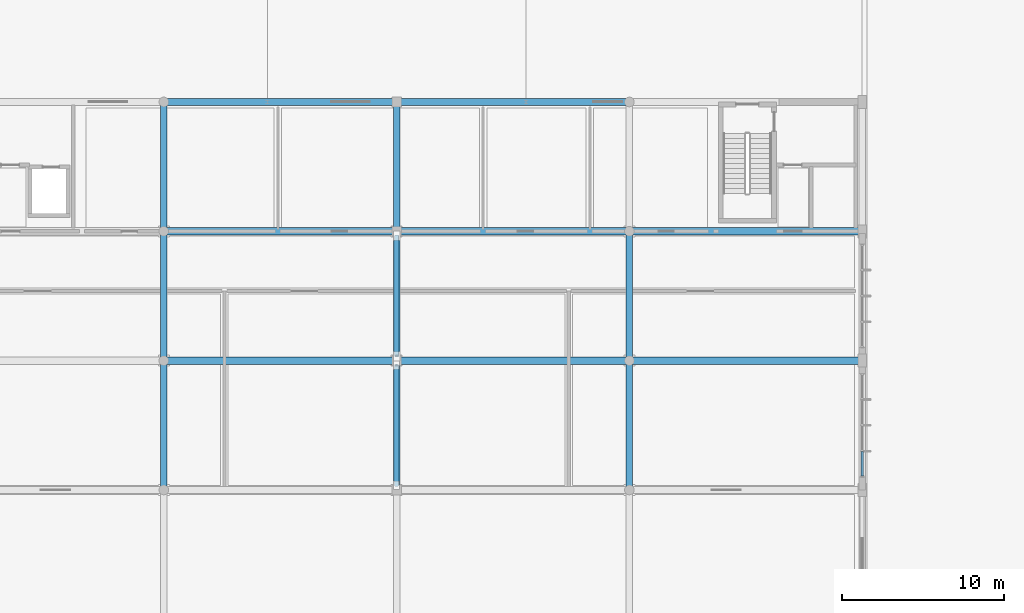
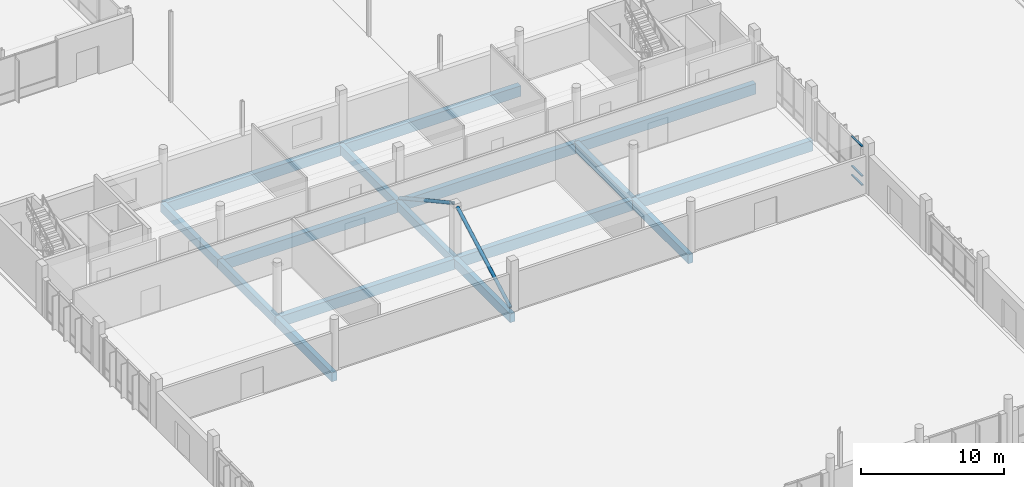
# One storey, part 121 of 233: 16 beams, 5 members, 1 element without a shape of its own.
"""IFC4 building model written with IfcOpenShell, lengths in metres."""

from ifc_helpers import new_model, si_unit, direction, frame, origin, origin_2d, place, context, subcontext, project, spatial, rectangle, hollow_rectangle, hollow_circle, extrude, material, material_profile, profile_set, type_object, element, aggregate, save


model = new_model("IFC4")

# Units and contexts
model_context = context("Model", 3, precision=1e-05, world=origin(), true_north=direction((0.0, 1.0)))
body_context = subcontext(model_context, "Body", "Model", "MODEL_VIEW")
ifc_project = project(units=[si_unit("LENGTHUNIT", "METRE"), si_unit("AREAUNIT", "SQUARE_METRE"), si_unit("VOLUMEUNIT", "CUBIC_METRE"), si_unit("PLANEANGLEUNIT", "RADIAN"), si_unit("MASSUNIT", "GRAM", prefix="KILO")], contexts=[model_context])

# Site, building, storey
site_placement = place(None, origin())
site = spatial("IfcSite", under=ifc_project, at=site_placement, CompositionType="ELEMENT")
building_placement = place(site_placement, origin())
building = spatial("IfcBuilding", under=site, at=building_placement, Name="Zavelmont Quarter", CompositionType="ELEMENT")
storey_placement = place(building_placement, origin())
storey = spatial("IfcBuildingStorey", under=building, at=storey_placement, Name="L00", CompositionType="ELEMENT", Elevation=0.0)

# Beams
ifc_material_1 = material(Name="Concrete C40/50", Category="concrete")
ifc_material_profile_1 = material_profile(ifc_material_1, rectangle(XDim=0.39990234375, YDim=0.75, at=origin_2d()), Name="RC400X750")
ifc_profile_set_1 = profile_set([ifc_material_profile_1], Name="Concrete C40/50")
beam_type_1 = type_object("IfcBeamType", Name="BM05", PredefinedType="BEAM", material=ifc_profile_set_1)
for number, where, z_axis, x_axis, name in (
    (1, (69.60009765625, 62.0, -0.695068359375), (0.0, 1.0, 0.0), (-1.0, 0.0, 0.0), "L00 beam BM05 11/K to 11/L"),
    (2, (69.60009765625, 70.0, -0.695068359375), (0.0, 1.0, 0.0), (-1.0, 0.0, 0.0), "L00 beam BM05 11/L to 11/M"),
    (3, (69.60009765625, 78.0, -0.695068359375), (0.0, 1.0, 0.0), (-1.0, 0.0, 0.0), "L00 beam BM05 11/M to 11/N"),
    (4, (84.0, 62.0, -0.695068359375), (0.0, 1.0, 0.0), (-1.0, 0.0, 0.0), "L00 beam BM05 13/K to 13/L"),
    (5, (84.0, 70.0, -0.695068359375), (0.0, 1.0, 0.0), (-1.0, 0.0, 0.0), "L00 beam BM05 13/L to 13/M"),
    (6, (84.0, 78.0, -0.695068359375), (0.0, 1.0, 0.0), (-1.0, 0.0, 0.0), "L00 beam BM05 13/M to 13/N"),
    (7, (98.39990234375, 62.0, -0.695068359375), (0.0, 1.0, 0.0), (-1.0, 0.0, 0.0), "L00 beam BM05 15/K to 15/L"),
    (8, (98.39990234375, 70.0, -0.695068359375), (0.0, 1.0, 0.0), (-1.0, 0.0, 0.0), "L00 beam BM05 15/L to 15/M"),
):
    element("IfcBeam", number, at=place(storey_placement, frame(where, z_axis=z_axis, x_axis=x_axis)), inside=storey, type_object=beam_type_1, Name=name, PredefinedType="BEAM", context=body_context, shape_type="SweptSolid", body=[
        extrude(rectangle(XDim=0.39990234375, YDim=0.75, at=origin_2d()), origin(), (0.0, 0.0, 1.0), 8.0),
    ])
ifc_material_profile_2 = material_profile(ifc_material_1, rectangle(XDim=0.449951171875, YDim=0.89990234375, at=origin_2d()), Name="RC450X900")
ifc_profile_set_2 = profile_set([ifc_material_profile_2], Name="Concrete C40/50")
beam_type_2 = type_object("IfcBeamType", Name="BM06", PredefinedType="BEAM", material=ifc_profile_set_2)
for number, where, z_axis, x_axis, name in (
    (9, (69.60009765625, 70.0, -0.77001953125), (1.0, 0.0, 0.0), (0.0, 1.0, 0.0), "L00 beam BM06 11/L to 13/L"),
    (10, (84.0, 70.0, -0.77001953125), (1.0, 0.0, 0.0), (0.0, 1.0, 0.0), "L00 beam BM06 13/L to 15/L"),
):
    element("IfcBeam", number, at=place(storey_placement, frame(where, z_axis=z_axis, x_axis=x_axis)), inside=storey, type_object=beam_type_2, Name=name, PredefinedType="BEAM", context=body_context, shape_type="SweptSolid", body=[
        extrude(rectangle(XDim=0.449951171875, YDim=0.89990234375, at=origin_2d()), origin(), (0.0, 0.0, 1.0), 14.39990234375),
    ])
beam_1_placement = place(storey_placement, frame((98.39990234375, 70.0, -0.77001953125), z_axis=(1.0, 0.0, 0.0), x_axis=(0.0, 1.0, 0.0)))
element("IfcBeam", 11, at=beam_1_placement, inside=storey, type_object=beam_type_2, Name="L00 beam BM06 15/L to 17/L", PredefinedType="BEAM", context=body_context, shape_type="SweptSolid", body=[
    extrude(rectangle(XDim=0.449951171875, YDim=0.89990234375, at=origin_2d()), origin(), (0.0, 0.0, 1.0), 14.400146484375),
])
for number, where, z_axis, x_axis, name in (
    (12, (69.60009765625, 78.0, -0.77001953125), (1.0, 0.0, 0.0), (0.0, 1.0, 0.0), "L00 beam BM06 11/M to 13/M"),
    (13, (84.0, 78.0, -0.77001953125), (1.0, 0.0, 0.0), (0.0, 1.0, 0.0), "L00 beam BM06 13/M to 15/M"),
):
    element("IfcBeam", number, at=place(storey_placement, frame(where, z_axis=z_axis, x_axis=x_axis)), inside=storey, type_object=beam_type_2, Name=name, PredefinedType="BEAM", context=body_context, shape_type="SweptSolid", body=[
        extrude(rectangle(XDim=0.449951171875, YDim=0.89990234375, at=origin_2d()), origin(), (0.0, 0.0, 1.0), 14.39990234375),
    ])
beam_2_placement = place(storey_placement, frame((98.39990234375, 78.0, -0.77001953125), z_axis=(1.0, 0.0, 0.0), x_axis=(0.0, 1.0, 0.0)))
element("IfcBeam", 14, at=beam_2_placement, inside=storey, type_object=beam_type_2, Name="L00 beam BM06 15/M to 17/M", PredefinedType="BEAM", context=body_context, shape_type="SweptSolid", body=[
    extrude(rectangle(XDim=0.449951171875, YDim=0.89990234375, at=origin_2d()), origin(), (0.0, 0.0, 1.0), 14.400146484375),
])
for number, where, z_axis, x_axis, name in (
    (15, (69.60009765625, 86.0, -0.77001953125), (1.0, 0.0, 0.0), (0.0, 1.0, 0.0), "L00 beam BM06 11/N to 13/N"),
    (16, (84.0, 86.0, -0.77001953125), (1.0, 0.0, 0.0), (0.0, 1.0, 0.0), "L00 beam BM06 13/N to 15/N"),
):
    element("IfcBeam", number, at=place(storey_placement, frame(where, z_axis=z_axis, x_axis=x_axis)), inside=storey, type_object=beam_type_2, Name=name, PredefinedType="BEAM", context=body_context, shape_type="SweptSolid", body=[
        extrude(rectangle(XDim=0.449951171875, YDim=0.89990234375, at=origin_2d()), origin(), (0.0, 0.0, 1.0), 14.39990234375),
    ])

# Members
ifc_material_2 = material(Name="Steel S355", Category="steel")
ifc_material_profile_3 = material_profile(ifc_material_2, hollow_circle(Radius=0.136474609375, WallThickness=0.012451171875, at=origin_2d()), Name="CHS 273X12.5")
ifc_profile_set_3 = profile_set([ifc_material_profile_3], Name="Steel S355")
member_type_1 = type_object("IfcMemberType", Name="BR01", PredefinedType="BRACE", material=ifc_profile_set_3)
for number, where, z_axis, x_axis, name in (
    (17, (84.0, 62.280029296875, 0.02001953125), (0.0, 0.876806930369, 0.480842600917), (-1.0, 0.0, 0.0), "L00 member BR01 13/K to 13/L"),
    (18, (84.0, 70.280029296875, 4.10009765625), (0.0, 0.876806930369, -0.480842600917), (-1.0, 0.0, 0.0), "L00 member BR01 13/L to 13/M"),
):
    element("IfcMember", number, at=place(storey_placement, frame(where, z_axis=z_axis, x_axis=x_axis)), inside=storey, type_object=member_type_1, Name=name, PredefinedType="BRACE", context=body_context, shape_type="SweptSolid", body=[
        extrude(hollow_circle(Radius=0.136474609375, WallThickness=0.012451171875, at=origin_2d()), origin(), (0.0, 0.0, 1.0), 8.4853515625),
    ])

# Curtain wall, members
ifc_material_3 = material(Name="Thermally broken aluminium and double low-E safety glazing", Category="aluminium")
curtain_wall_type = type_object("IfcCurtainWallType", Name="CW-640X336", PredefinedType="NOTDEFINED", material=ifc_material_3)
curtain_wall_placement = place(storey_placement, origin())
curtain_wall = element("IfcCurtainWall", 19, at=curtain_wall_placement, inside=storey, type_object=curtain_wall_type, Name="L00 unitised curtain wall CW-640X336", PredefinedType="NOTDEFINED")
ifc_material_4 = material(Name="Powder-coated aluminium EN AW-6063-T6", Category="aluminium")
ifc_material_profile_4 = material_profile(ifc_material_4, hollow_rectangle(XDim=0.14990234375, YDim=0.070068359375, WallThickness=0.00439453125, at=origin_2d()), Name="CWT70X150")
ifc_profile_set_4 = profile_set([ifc_material_profile_4], Name="Powder-coated aluminium EN AW-6063-T6")
member_type_2 = type_object("IfcMemberType", Name="CWT02", PredefinedType="NOTDEFINED", material=ifc_profile_set_4)
member_1_placement = place(storey_placement, frame((112.800048828125, 62.8701171875, 0.034912109375), z_axis=(0.0, 1.0, 0.0), x_axis=(-1.0, 0.0, 0.0)))
member_1 = element("IfcMember", 20, at=member_1_placement, type_object=member_type_2, Name="CW-640X336 transom 1.1", ObjectType="TRANSOM", PredefinedType="USERDEFINED", context=body_context, shape_type="SweptSolid", body=[
    extrude(hollow_rectangle(XDim=0.14990234375, YDim=0.070068359375, WallThickness=0.00439453125, at=origin_2d()), origin(), (0.0, 0.0, 1.0), 1.494873046875),
])
member_2_placement = place(storey_placement, frame((112.800048828125, 62.8701171875, 0.805908203125), z_axis=(0.0, 1.0, 0.0), x_axis=(-1.0, 0.0, 0.0)))
member_2 = element("IfcMember", 21, at=member_2_placement, type_object=member_type_2, Name="CW-640X336 transom 1.2", ObjectType="TRANSOM", PredefinedType="USERDEFINED", context=body_context, shape_type="SweptSolid", body=[
    extrude(hollow_rectangle(XDim=0.14990234375, YDim=0.070068359375, WallThickness=0.00439453125, at=origin_2d()), origin(), (0.0, 0.0, 1.0), 1.494873046875),
])
member_3_placement = place(storey_placement, frame((112.800048828125, 62.8701171875, 3.324951171875), z_axis=(0.0, 1.0, 0.0), x_axis=(-1.0, 0.0, 0.0)))
member_3 = element("IfcMember", 22, at=member_3_placement, type_object=member_type_2, Name="CW-640X336 transom 1.3", ObjectType="TRANSOM", PredefinedType="USERDEFINED", context=body_context, shape_type="SweptSolid", body=[
    extrude(hollow_rectangle(XDim=0.14990234375, YDim=0.070068359375, WallThickness=0.00439453125, at=origin_2d()), origin(), (0.0, 0.0, 1.0), 1.494873046875),
])
aggregate(curtain_wall, [member_1, member_2, member_3])

save(model, "model.ifc")
